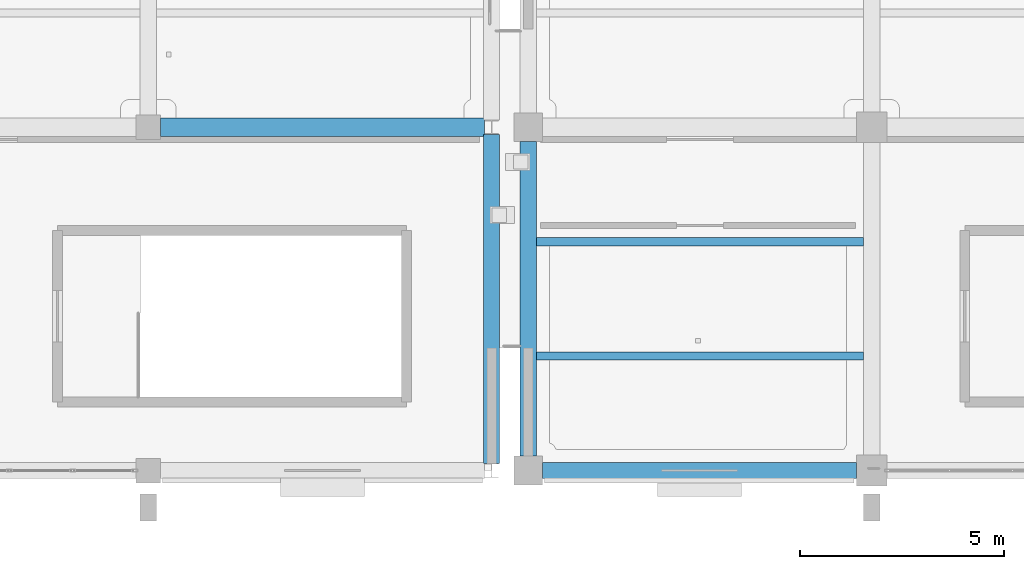
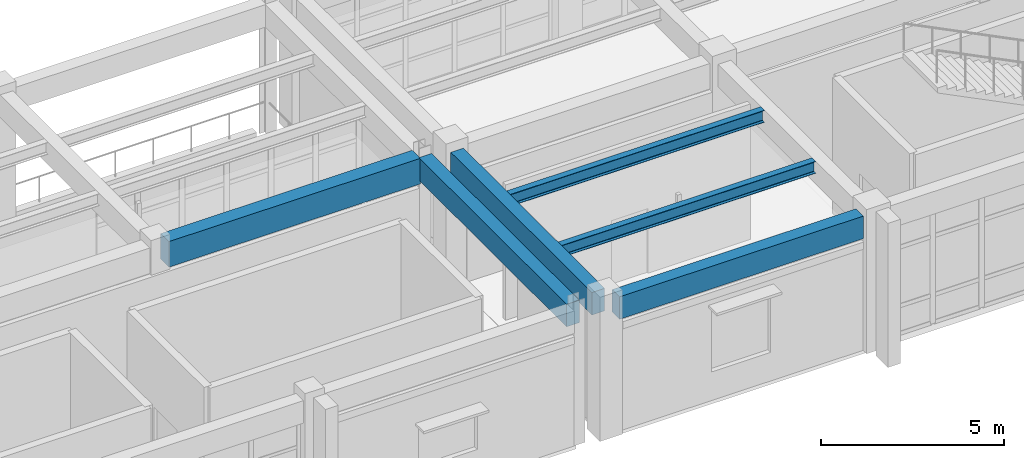
# One storey, part 13 of 98: 6 beams.
"""IFC4 building model written with IfcOpenShell, lengths in metres."""

from ifc_helpers import new_model, si_unit, direction, frame, origin, origin_2d, place, context, subcontext, project, spatial, rectangle, i_section, extrude, material, material_profile, profile_set, type_object, element, save


model = new_model("IFC4")

# Units and contexts
model_context = context("Model", 3, precision=1e-05, world=origin(), true_north=direction((0.0, 1.0)))
body_context = subcontext(model_context, "Body", "Model", "MODEL_VIEW")
ifc_project = project(units=[si_unit("LENGTHUNIT", "METRE"), si_unit("AREAUNIT", "SQUARE_METRE"), si_unit("VOLUMEUNIT", "CUBIC_METRE"), si_unit("PLANEANGLEUNIT", "RADIAN"), si_unit("MASSUNIT", "GRAM", prefix="KILO")], contexts=[model_context])

# Site, building, storey
site_placement = place(None, origin())
site = spatial("IfcSite", under=ifc_project, at=site_placement, CompositionType="ELEMENT")
building_placement = place(site_placement, origin())
building = spatial("IfcBuilding", under=site, at=building_placement, Name="Canglan Escarpment Cableway Terminal", CompositionType="ELEMENT")
storey_placement = place(building_placement, frame((0.0, 0.0, 9.60009765625)))
storey = spatial("IfcBuildingStorey", under=building, at=storey_placement, Name="L02", CompositionType="ELEMENT", Elevation=9.60009765625)

# Beams
ifc_material_1 = material(Name="Concrete C40", Category="concrete")
ifc_material_profile_1 = material_profile(ifc_material_1, rectangle(XDim=0.39990234375, YDim=0.75, at=origin_2d()), Name="RC 400x750")
ifc_profile_set_1 = profile_set([ifc_material_profile_1], Name="Concrete C40")
beam_type_1 = type_object("IfcBeamType", Name="BM-RC400x750", PredefinedType="BEAM", material=ifc_profile_set_1)
beam_1_placement = place(storey_placement, frame((76.10009765625, 8.175048828125, 4.135009765625), z_axis=(0.0, 1.0, 0.0), x_axis=(-1.0, 0.0, 0.0)))
element("IfcBeam", 1, at=beam_1_placement, inside=storey, type_object=beam_type_1, Name="Primary transverse girder B-03", PredefinedType="BEAM", context=body_context, shape_type="SweptSolid", body=[
    extrude(rectangle(XDim=0.39990234375, YDim=0.75, at=origin_2d()), origin(), (0.0, 0.0, 1.0), 8.050048828125),
])
beam_2_placement = place(storey_placement, frame((77.0, 8.35009765625, 4.10498046875), z_axis=(0.0, 1.0, 0.0), x_axis=(-1.0, 0.0, 0.0)))
element("IfcBeam", 2, at=beam_2_placement, inside=storey, type_object=beam_type_1, Name="Primary transverse girder B-03", PredefinedType="BEAM", context=body_context, shape_type="SweptSolid", body=[
    extrude(rectangle(XDim=0.39990234375, YDim=0.75, at=origin_2d()), origin(), (0.0, 0.0, 1.0), 7.699951171875),
])
ifc_material_profile_2 = material_profile(ifc_material_1, rectangle(XDim=0.449951171875, YDim=0.85009765625, at=origin_2d()), Name="RC 450x850")
ifc_profile_set_2 = profile_set([ifc_material_profile_2], Name="Concrete C40")
beam_type_2 = type_object("IfcBeamType", Name="BM-RC450x850", PredefinedType="BEAM", material=ifc_profile_set_2)
beam_3_placement = place(storey_placement, frame((68.0, 16.39990234375, 4.0849609375), z_axis=(1.0, 0.0, 0.0), x_axis=(0.0, 1.0, 0.0)))
element("IfcBeam", 3, at=beam_3_placement, inside=storey, type_object=beam_type_2, Name="Primary structural girder B-02", PredefinedType="BEAM", context=body_context, shape_type="SweptSolid", body=[
    extrude(rectangle(XDim=0.449951171875, YDim=0.85009765625, at=origin_2d()), origin(), (0.0, 0.0, 1.0), 7.925048828125),
])
ifc_material_2 = material(Name="Steel Q355B", Category="steel")
ifc_material_profile_3 = material_profile(ifc_material_2, i_section(OverallWidth=0.199951171875, OverallDepth=0.39990234375, WebThickness=0.008056640625, FlangeThickness=0.012939453125, FilletRadius=0.01611328125, at=origin_2d()), Name="HN 400x200x8x13")
ifc_profile_set_3 = profile_set([ifc_material_profile_3], Name="Steel Q355B")
beam_type_3 = type_object("IfcBeamType", Name="JS-HN400", PredefinedType="JOIST", material=ifc_profile_set_3)
for number, where, z_axis, x_axis, name in (
    (4, (77.199951171875, 10.800048828125, 4.27978515625), (1.0, 0.0, 0.0), (0.0, 1.0, 0.0), "Secondary composite deck joist J-03"),
    (5, (77.199951171875, 13.60009765625, 4.27978515625), (1.0, 0.0, 0.0), (0.0, 1.0, 0.0), "Secondary composite deck joist J-03"),
):
    element("IfcBeam", number, at=place(storey_placement, frame(where, z_axis=z_axis, x_axis=x_axis)), inside=storey, type_object=beam_type_3, Name=name, PredefinedType="JOIST", context=body_context, shape_type="SweptSolid", body=[
        extrude(i_section(OverallWidth=0.199951171875, OverallDepth=0.39990234375, WebThickness=0.008056640625, FlangeThickness=0.012939453125, FilletRadius=0.01611328125, at=origin_2d()), origin(), (0.0, 0.0, 1.0), 8.0),
    ])
ifc_material_profile_4 = material_profile(ifc_material_1, rectangle(XDim=0.39990234375, YDim=0.75, at=origin_2d()), Name="RC 400x750")
ifc_profile_set_4 = profile_set([ifc_material_profile_4], Name="Concrete C40")
beam_type_4 = type_object("IfcBeamType", Name="SP-RC400x750", PredefinedType="SPANDREL", material=ifc_profile_set_4)
beam_4_placement = place(storey_placement, frame((77.35009765625, 8.0, 4.10498046875), z_axis=(1.0, 0.0, 0.0), x_axis=(0.0, 1.0, 0.0)))
element("IfcBeam", 6, at=beam_4_placement, inside=storey, type_object=beam_type_4, Name="Primary structural girder SP-01", PredefinedType="SPANDREL", context=body_context, shape_type="SweptSolid", body=[
    extrude(rectangle(XDim=0.39990234375, YDim=0.75, at=origin_2d()), origin(), (0.0, 0.0, 1.0), 7.6748046875),
])

save(model, "model.ifc")
